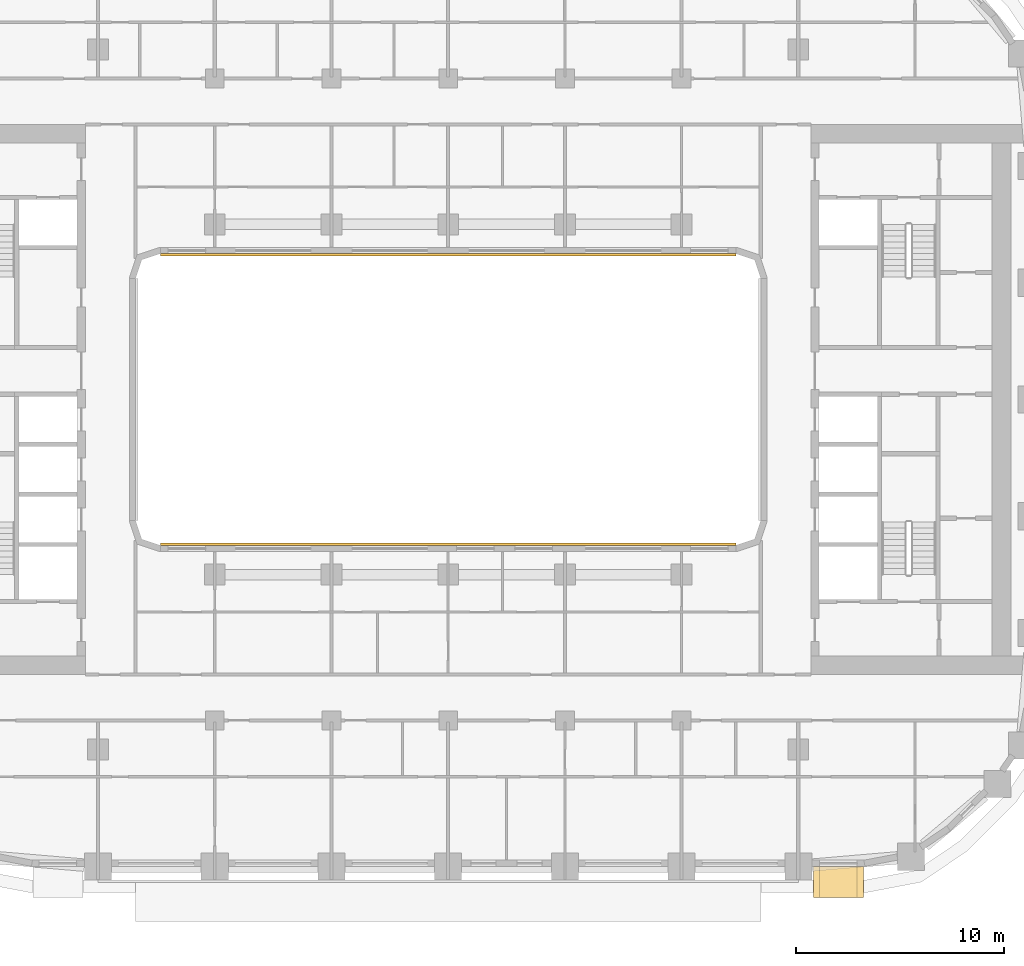
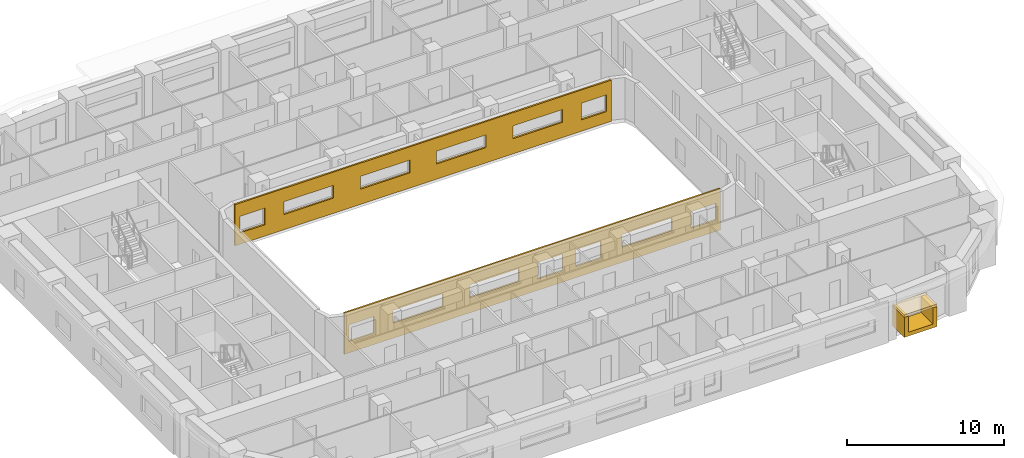
# One storey, part 16 of 22: 4 coverings.
"""IFC4 building model written with IfcOpenShell, lengths in metres."""

from ifc_helpers import new_model, si_unit, direction, frame, origin, origin_2d, place, context, subcontext, project, spatial, polyline, rectangle, outline, extrude, material, layer, layer_set, type_object, element, save


model = new_model("IFC4")

# Units and contexts
model_context = context("Model", 3, precision=1e-05, world=origin(), true_north=direction((0.0, 1.0)))
body_context = subcontext(model_context, "Body", "Model", "MODEL_VIEW")
ifc_project = project(units=[si_unit("LENGTHUNIT", "METRE"), si_unit("AREAUNIT", "SQUARE_METRE"), si_unit("VOLUMEUNIT", "CUBIC_METRE"), si_unit("PLANEANGLEUNIT", "RADIAN"), si_unit("MASSUNIT", "GRAM", prefix="KILO")], contexts=[model_context])

# Site, building, storey
site_placement = place(None, origin())
site = spatial("IfcSite", under=ifc_project, at=site_placement, CompositionType="ELEMENT")
building_placement = place(site_placement, origin())
building = spatial("IfcBuilding", under=site, at=building_placement, Name="Kiln Ring Residences", CompositionType="ELEMENT")
storey_placement = place(building_placement, frame((0.0, 0.0, 97.300048828125)))
storey = spatial("IfcBuildingStorey", under=building, at=storey_placement, Name="L24", CompositionType="ELEMENT", Elevation=97.300048828125)

# Coverings
ifc_material_1 = material(Name="Brick masonry, dark clay brick", Category="masonry")
ifc_layer_1 = layer(ifc_material_1, 0.300048828125)
ifc_layer_set_1 = layer_set([ifc_layer_1], Name="FRAME CHEEKS AND SILL 1500")
covering_type_1 = type_object("IfcCoveringType", Name="FRAME CHEEKS AND SILL 1500", PredefinedType="CLADDING", material=ifc_layer_set_1)
covering_1_placement = place(storey_placement, frame((17.52490234375, -23.14990234375, 0.599853515625), z_axis=(0.0, 0.0, 1.0), x_axis=(1.0, 0.0, 0.0)))
element("IfcCovering", 1, at=covering_1_placement, inside=storey, type_object=covering_type_1, Name="FRAME L24", PredefinedType="CLADDING", context=body_context, shape_type="SweptSolid", body=[
    extrude(outline(polyline([(0.0, 0.0), (2.400146484375, 0.0), (2.39990234375, 1.550048828125), (2.10107421875, 1.550048828125), (2.10009765625, 0.300048828125), (0.300048828125, 0.300048828125), (0.299072265625, 1.550048828125), (0.0, 1.550048828125), (0.0, 0.0)])), frame((0.0, 0.75, 0.0), z_axis=(0.0, -1.0, 0.0), x_axis=(1.0, 0.0, 0.0)), (0.0, 0.0, 1.0), 1.5),
])
ifc_material_2 = material(Name="Brick masonry, dark clay brick", Category="masonry")
ifc_layer_2 = layer(ifc_material_2, 0.199951171875)
ifc_layer_set_2 = layer_set([ifc_layer_2], Name="FRAME HEAD 1500")
covering_type_2 = type_object("IfcCoveringType", Name="FRAME HEAD 1500", PredefinedType="CLADDING", material=ifc_layer_set_2)
covering_2_placement = place(storey_placement, frame((18.72509765625, -23.14990234375, 2.14990234375), z_axis=(0.0, 0.0, 1.0), x_axis=(1.0, 0.0, 0.0)))
element("IfcCovering", 2, at=covering_2_placement, inside=storey, type_object=covering_type_2, Name="FRAME HEAD L24", PredefinedType="CLADDING", context=body_context, shape_type="SweptSolid", body=[
    extrude(rectangle(XDim=2.39990234375, YDim=1.5, at=origin_2d()), origin(), (0.0, 0.0, 1.0), 0.199951171875),
])
ifc_material_3 = material(Name="Brick masonry, dark clay brick", Category="masonry")
ifc_layer_3 = layer(ifc_material_3, 0.1201171875)
ifc_layer_set_3 = layer_set([ifc_layer_3], Name="RAINSCREEN PANEL 120")
covering_type_3 = type_object("IfcCoveringType", Name="RAINSCREEN PANEL 120", PredefinedType="CLADDING", material=ifc_layer_set_3)
covering_3_placement = place(storey_placement, frame((-13.800048828125, 6.93994140625, 0.0), z_axis=(0.0, 0.0, 1.0), x_axis=(1.0, 0.0, 0.0)))
element("IfcCovering", 3, at=covering_3_placement, inside=storey, type_object=covering_type_3, Name="RAINSCREEN L24", PredefinedType="CLADDING", context=body_context, shape_type="SweptSolid", body=[
    extrude(outline(polyline([(0.0, 0.0), (27.60009765625, 0.0), (27.60009765625, 3.199951171875), (0.0, 3.199951171875), (0.0, 0.0)]), holes=[polyline([(2.1826171875, 0.8798828125), (2.1826171875, 2.169921875), (0.342529296875, 2.169921875), (0.342529296875, 0.8798828125), (2.1826171875, 0.8798828125)]), polyline([(25.41748046875, 0.8798828125), (27.257568359375, 0.8798828125), (27.257568359375, 2.169921875), (25.41748046875, 2.169921875), (25.41748046875, 0.8798828125)]), polyline([(3.580078125, 1.179931640625), (7.219970703125, 1.179931640625), (7.219970703125, 2.169921875), (3.580078125, 2.169921875), (3.580078125, 1.179931640625)]), polyline([(12.820068359375, 1.179931640625), (12.820068359375, 2.169921875), (9.179931640625, 2.169921875), (9.179931640625, 1.179931640625), (12.820068359375, 1.179931640625)]), polyline([(14.780029296875, 1.179931640625), (18.419921875, 1.179931640625), (18.419921875, 2.169921875), (14.780029296875, 2.169921875), (14.780029296875, 1.179931640625)]), polyline([(20.3798828125, 1.179931640625), (24.02001953125, 1.179931640625), (24.02001953125, 2.169921875), (20.3798828125, 2.169921875), (20.3798828125, 1.179931640625)])]), frame((0.0, 0.06005859375, 0.0), z_axis=(0.0, -1.0, 0.0), x_axis=(1.0, 0.0, 0.0)), (0.0, 0.0, 1.0), 0.1201171875),
])
covering_4_placement = place(storey_placement, frame((13.800048828125, -6.93994140625, 0.0), z_axis=(0.0, 0.0, 1.0), x_axis=(-1.0, 0.0, 0.0)))
element("IfcCovering", 4, at=covering_4_placement, inside=storey, type_object=covering_type_3, Name="RAINSCREEN L24", PredefinedType="CLADDING", context=body_context, shape_type="SweptSolid", body=[
    extrude(outline(polyline([(0.0, 0.0), (27.60009765625, 0.0), (27.60009765625, 3.199951171875), (0.0, 3.199951171875), (0.0, 0.0)]), holes=[polyline([(2.1826171875, 0.8798828125), (2.1826171875, 2.169921875), (0.342529296875, 2.169921875), (0.342529296875, 0.8798828125), (2.1826171875, 0.8798828125)]), polyline([(8.780029296875, 0.8798828125), (10.6201171875, 0.8798828125), (10.6201171875, 2.169921875), (8.780029296875, 2.169921875), (8.780029296875, 0.8798828125)]), polyline([(11.580078125, 0.8798828125), (13.419921875, 0.8798828125), (13.419921875, 2.169921875), (11.580078125, 2.169921875), (11.580078125, 0.8798828125)]), polyline([(25.41748046875, 0.8798828125), (27.257568359375, 0.8798828125), (27.257568359375, 2.169921875), (25.41748046875, 2.169921875), (25.41748046875, 0.8798828125)]), polyline([(3.580078125, 1.179931640625), (7.219970703125, 1.179931640625), (7.219970703125, 2.169921875), (3.580078125, 2.169921875), (3.580078125, 1.179931640625)]), polyline([(14.780029296875, 1.179931640625), (18.419921875, 1.179931640625), (18.419921875, 2.169921875), (14.780029296875, 2.169921875), (14.780029296875, 1.179931640625)]), polyline([(20.3798828125, 1.179931640625), (24.02001953125, 1.179931640625), (24.02001953125, 2.169921875), (20.3798828125, 2.169921875), (20.3798828125, 1.179931640625)])]), frame((0.0, 0.06005859375, 0.0), z_axis=(0.0, -1.0, 0.0), x_axis=(1.0, 0.0, 0.0)), (0.0, 0.0, 1.0), 0.1201171875),
])

save(model, "model.ifc")
